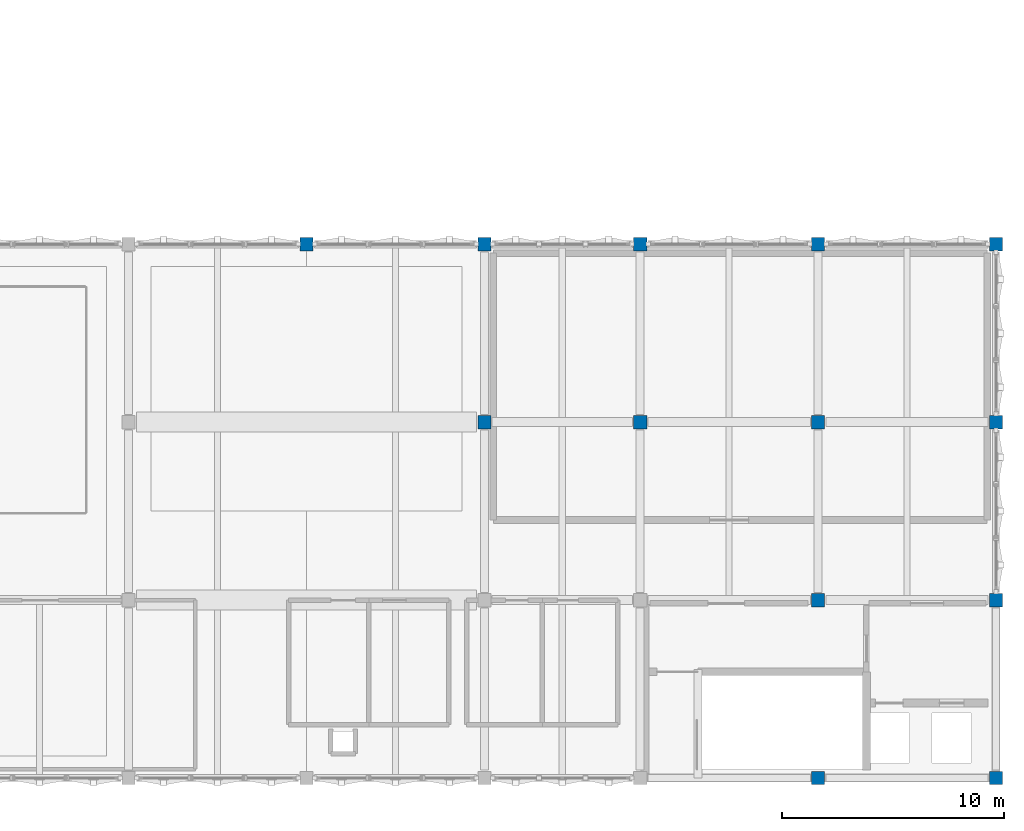
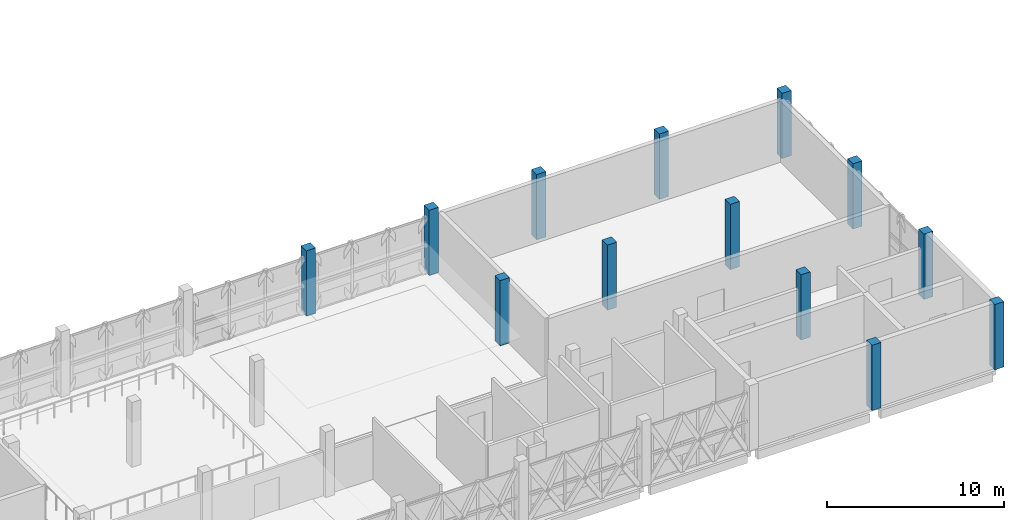
# One storey, part 2 of 43: 13 columns.
"""IFC4 building model written with IfcOpenShell, lengths in metres."""

from ifc_helpers import new_model, si_unit, direction, frame, origin, origin_2d, place, context, subcontext, project, spatial, rectangle, extrude, material, material_profile, profile_set, type_object, element, save


model = new_model("IFC4")

# Units and contexts
model_context = context("Model", 3, precision=1e-05, world=origin(), true_north=direction((0.0, 1.0)))
body_context = subcontext(model_context, "Body", "Model", "MODEL_VIEW")
ifc_project = project(units=[si_unit("LENGTHUNIT", "METRE"), si_unit("AREAUNIT", "SQUARE_METRE"), si_unit("VOLUMEUNIT", "CUBIC_METRE"), si_unit("PLANEANGLEUNIT", "RADIAN"), si_unit("MASSUNIT", "GRAM", prefix="KILO")], contexts=[model_context])

# Site, building, storey
site_placement = place(None, origin())
site = spatial("IfcSite", under=ifc_project, at=site_placement, CompositionType="ELEMENT")
building_placement = place(site_placement, origin())
building = spatial("IfcBuilding", under=site, at=building_placement, Name="Qorikala Patio Media Centre", CompositionType="ELEMENT")
storey_placement = place(building_placement, frame((0.0, 0.0, 18.89990234375)))
storey = spatial("IfcBuildingStorey", under=building, at=storey_placement, Name="L04", CompositionType="ELEMENT", Elevation=18.89990234375)

# Columns
ifc_material = material(Name="Concrete C35/45", Category="concrete")
ifc_material_profile_1 = material_profile(ifc_material, rectangle(XDim=0.60009765625, YDim=0.60009765625, at=origin_2d()), Name="RC 600x600")
ifc_profile_set_1 = profile_set([ifc_material_profile_1], Name="Concrete C35/45")
column_type_1 = type_object("IfcColumnType", Name="RC-COL-600-EXT", PredefinedType="COLUMN", material=ifc_profile_set_1)
for number, where, z_axis, x_axis, name in (
    (1, (67.0, 27.0, 0.0), (0.0, 0.0, 1.0), (1.0, 0.0, 0.0), "L04 Column (67,27)"),
    (2, (75.0, 27.0, 0.0), (0.0, 0.0, 1.0), (1.0, 0.0, 0.0), "L04 Column (75,27)"),
    (3, (82.0, 27.0, 0.0), (0.0, 0.0, 1.0), (1.0, 0.0, 0.0), "L04 Column (82,27)"),
    (4, (90.0, 3.0, 0.0), (0.0, 0.0, 1.0), (1.0, 0.0, 0.0), "L04 Column (90,3)"),
    (5, (90.0, 27.0, 0.0), (0.0, 0.0, 1.0), (1.0, 0.0, 0.0), "L04 Column (90,27)"),
    (6, (98.0, 3.0, 0.0), (0.0, 0.0, 1.0), (1.0, 0.0, 0.0), "L04 Column (98,3)"),
    (7, (98.0, 11.0, 0.0), (0.0, 0.0, 1.0), (1.0, 0.0, 0.0), "L04 Column (98,11)"),
    (8, (98.0, 19.0, 0.0), (0.0, 0.0, 1.0), (1.0, 0.0, 0.0), "L04 Column (98,19)"),
    (9, (98.0, 27.0, 0.0), (0.0, 0.0, 1.0), (1.0, 0.0, 0.0), "L04 Column (98,27)"),
):
    element("IfcColumn", number, at=place(storey_placement, frame(where, z_axis=z_axis, x_axis=x_axis)), inside=storey, type_object=column_type_1, Name=name, PredefinedType="COLUMN", context=body_context, shape_type="SweptSolid", body=[
        extrude(rectangle(XDim=0.60009765625, YDim=0.60009765625, at=origin_2d()), origin(), (0.0, 0.0, 1.0), 4.5),
    ])
ifc_material_profile_2 = material_profile(ifc_material, rectangle(XDim=0.60009765625, YDim=0.60009765625, at=origin_2d()), Name="RC 600x600")
ifc_profile_set_2 = profile_set([ifc_material_profile_2], Name="Concrete C35/45")
column_type_2 = type_object("IfcColumnType", Name="RC-COL-600-INT", PredefinedType="COLUMN", material=ifc_profile_set_2)
for number, where, z_axis, x_axis, name in (
    (10, (75.0, 19.0, 0.0), (0.0, 0.0, 1.0), (1.0, 0.0, 0.0), "L04 Column (75,19)"),
    (11, (82.0, 19.0, 0.0), (0.0, 0.0, 1.0), (1.0, 0.0, 0.0), "L04 Column (82,19)"),
    (12, (90.0, 11.0, 0.0), (0.0, 0.0, 1.0), (1.0, 0.0, 0.0), "L04 Column (90,11)"),
    (13, (90.0, 19.0, 0.0), (0.0, 0.0, 1.0), (1.0, 0.0, 0.0), "L04 Column (90,19)"),
):
    element("IfcColumn", number, at=place(storey_placement, frame(where, z_axis=z_axis, x_axis=x_axis)), inside=storey, type_object=column_type_2, Name=name, PredefinedType="COLUMN", context=body_context, shape_type="SweptSolid", body=[
        extrude(rectangle(XDim=0.60009765625, YDim=0.60009765625, at=origin_2d()), origin(), (0.0, 0.0, 1.0), 4.5),
    ])

save(model, "model.ifc")
